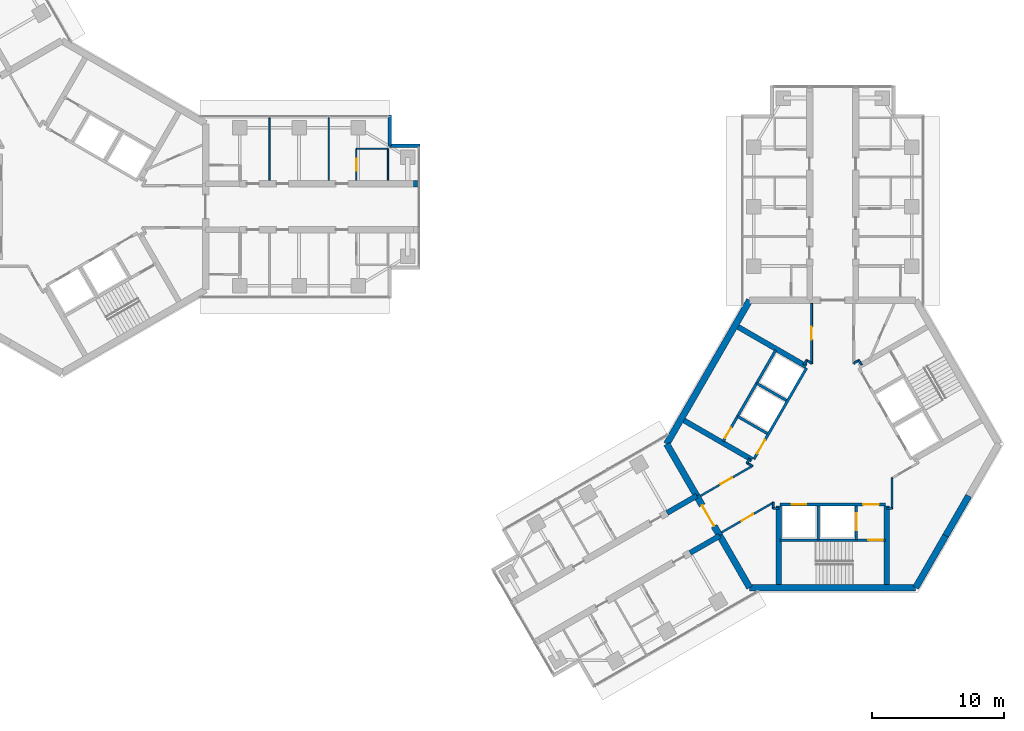
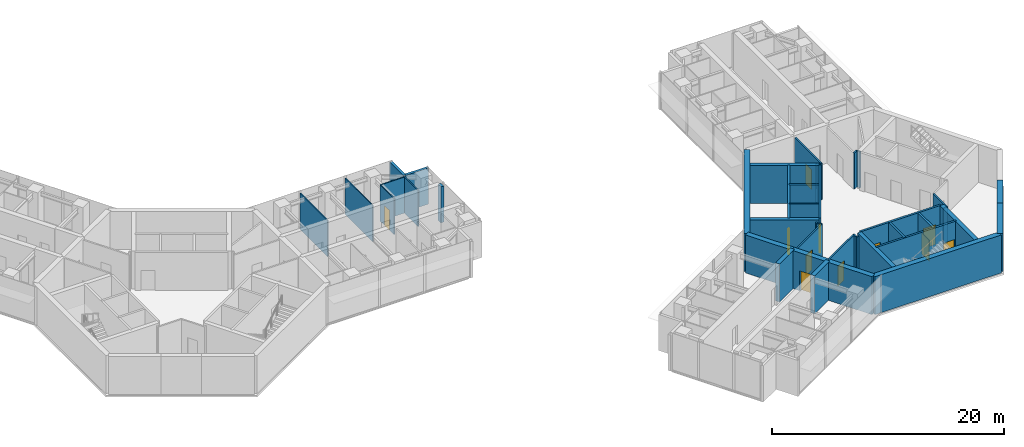
# One storey, part 14 of 18: 42 walls, 11 doors, 11 openings.
"""IFC4 building model written with IfcOpenShell, lengths in metres."""

from ifc_helpers import new_model, si_unit, direction, frame, frame_2d, origin, place, context, subcontext, project, spatial, rectangle, extrude, material, layer, layer_set, type_object, element, fill, save


model = new_model("IFC4")

# Units and contexts
model_context = context("Model", 3, precision=1e-05, world=origin(), true_north=direction((0.0, 1.0)))
body_context = subcontext(model_context, "Body", "Model", "MODEL_VIEW")
ifc_project = project(units=[si_unit("LENGTHUNIT", "METRE"), si_unit("AREAUNIT", "SQUARE_METRE"), si_unit("VOLUMEUNIT", "CUBIC_METRE"), si_unit("PLANEANGLEUNIT", "RADIAN"), si_unit("MASSUNIT", "GRAM", prefix="KILO")], contexts=[model_context])

# Site, building, storey
site_placement = place(None, origin())
site = spatial("IfcSite", under=ifc_project, at=site_placement, CompositionType="ELEMENT")
building_placement = place(site_placement, origin())
building = spatial("IfcBuilding", under=site, at=building_placement, Name="Upepo Twin Towers", CompositionType="ELEMENT")
storey_placement = place(building_placement, frame((0.0, 0.0, 222.5)))
storey = spatial("IfcBuildingStorey", under=building, at=storey_placement, Name="L54", CompositionType="ELEMENT", Elevation=222.5)

# Walls
ifc_material_1 = material(Name="Dense concrete blockwork", Category="masonry")
ifc_layer_1 = layer(ifc_material_1, 0.5)
ifc_layer_set_1 = layer_set([ifc_layer_1], Name="Buttress closer 500, blockwork with fire-stopping to the curtain wall")
wall_type_1 = type_object("IfcWallType", Name="Buttress closer 500, blockwork with fire-stopping to the curtain wall", PredefinedType="PARTITIONING", material=ifc_layer_set_1)
wall_1_placement = place(storey_placement, frame((26.699951171875, 1.75, 0.0), z_axis=(0.0, 0.0, 1.0), x_axis=(1.0, 0.0, 0.0)))
element("IfcWall", 1, at=wall_1_placement, inside=storey, type_object=wall_type_1, Name="T1 L54 wing A buttress closer L", PredefinedType="PARTITIONING", context=body_context, shape_type="SweptSolid", body=[
    extrude(rectangle(XDim=0.28759765625, YDim=0.5, at=frame_2d((0.143798828125, 0.0))), origin(), (0.0, 0.0, 1.0), 3.800048828125),
])
ifc_material_2 = material(Name="Concrete C60/75", Category="concrete")
ifc_layer_2 = layer(ifc_material_2, 0.39990234375)
ifc_layer_set_2 = layer_set([ifc_layer_2], Name="Concrete C60/75")
wall_type_2 = type_object("IfcWallType", Name="Buttress wall 400 RC", PredefinedType="SHEAR", material=ifc_layer_set_2)
for number, where, z_axis, x_axis, name in (
    (2, (49.92822265625, -24.9697265625, 0.0), (0.0, 0.0, 1.0), (-0.866031863473, -0.499988811324, 0.0), "T2 wing B buttress wall L"),
    (3, (48.17822265625, -21.938720703125, 0.0), (0.0, 0.0, 1.0), (-0.866072649678, -0.499918158782, 0.0), "T2 wing B buttress wall R"),
):
    element("IfcWall", number, at=place(storey_placement, frame(where, z_axis=z_axis, x_axis=x_axis)), inside=storey, type_object=wall_type_2, Name=name, PredefinedType="SHEAR", context=body_context, shape_type="SweptSolid", body=[
        extrude(rectangle(XDim=2.591796875, YDim=0.39990234375, at=frame_2d((1.2958984375, 0.0))), origin(), (0.0, 0.0, 1.0), 4.0),
    ])
ifc_material_3 = material(Name="Concrete C60/75", Category="concrete")
ifc_layer_3 = layer(ifc_material_3, 0.5)
ifc_layer_set_3 = layer_set([ifc_layer_3], Name="Concrete C60/75")
wall_type_3 = type_object("IfcWallType", Name="Core wall 500 RC", PredefinedType="SHEAR", material=ifc_layer_set_3)
wall_2_placement = place(storey_placement, frame((52.2021484375, -7.091552734375, 0.0), z_axis=(0.0, 0.0, 1.0), x_axis=(-0.500005998175, -0.866021940709, 0.0)))
element("IfcWall", 4, at=wall_2_placement, inside=storey, type_object=wall_type_3, Name="T2 core wall 060", PredefinedType="SHEAR", context=body_context, shape_type="SweptSolid", body=[
    extrude(rectangle(XDim=12.595947265625, YDim=0.5, at=frame_2d((6.2978515625, 0.0))), origin(), (0.0, 0.0, 1.0), 4.0),
])
wall_3_placement = place(storey_placement, frame((45.904052734375, -18.0, 0.0), z_axis=(0.0, 0.0, 1.0), x_axis=(0.500024481964, -0.866011268655, 0.0)))
element("IfcWall", 5, at=wall_3_placement, inside=storey, type_object=wall_type_3, Name="T2 core wall 120 R", PredefinedType="SHEAR", context=body_context, shape_type="SweptSolid", body=[
    extrude(rectangle(XDim=4.548095703125, YDim=0.5, at=frame_2d((2.27392578125, 0.0))), origin(), (0.0, 0.0, 1.0), 4.0),
])

# Wall, opening, door
wall_4_placement = place(storey_placement, frame((48.17822265625, -21.938720703125, 0.0), z_axis=(0.0, 0.0, 1.0), x_axis=(0.500010275428, -0.866019471182, 0.0)))
wall_4 = element("IfcWall", 6, at=wall_4_placement, inside=storey, type_object=wall_type_3, Name="T2 core wall 120", PredefinedType="SHEAR", context=body_context, shape_type="SweptSolid", body=[
    extrude(rectangle(XDim=3.5, YDim=0.5, at=frame_2d((1.75, 0.0))), origin(), (0.0, 0.0, 1.0), 4.0),
])
opening_1_placement = place(wall_4_placement, frame((0.85009765625, 0.0, 0.0)))
opening_1 = element("IfcOpeningElement", 7, at=opening_1_placement, cuts=wall_4, Name="Opening D2", PredefinedType="OPENING", context=body_context, shape_type="SweptSolid", body=[
    extrude(rectangle(XDim=1.800048828125, YDim=2.10009765625, at=frame_2d((0.89990234375, 1.050048828125))), frame((0.0, 0.260009765625, 0.0), z_axis=(0.0, -1.0, 0.0), x_axis=(1.0, 0.0, 0.0)), (0.0, 0.0, 1.0), 0.52001953125),
])
ifc_material_4 = material(Name="Timber doorset", Category="wood")
door_type_1 = type_object("IfcDoorType", Name="Corridor double door 1800 FD60", OperationType="DOUBLE_DOOR_DOUBLE_SWING", PredefinedType="DOOR", material=ifc_material_4)
door_1_placement = place(opening_1_placement, origin())
door_1 = element("IfcDoor", 8, at=door_1_placement, inside=storey, type_object=door_type_1, Name="T2 L54 wing B corridor door", OperationType="DOUBLE_DOOR_DOUBLE_SWING", OverallHeight=2.10009765625, OverallWidth=1.800048828125, PredefinedType="DOOR", context=body_context, shape_type="SweptSolid", body=[
    extrude(rectangle(XDim=1.800048828125, YDim=2.10009765625, at=frame_2d((0.89990234375, 1.050048828125))), frame((0.0, 0.02490234375, 0.0), z_axis=(0.0, -1.0, 0.0), x_axis=(1.0, 0.0, 0.0)), (0.0, 0.0, 1.0), 0.050048828125),
])
fill(opening_1, door_1)

# Walls
wall_5_placement = place(storey_placement, frame((49.92822265625, -24.9697265625, 0.0), z_axis=(0.0, 0.0, 1.0), x_axis=(0.499984222037, -0.866034513004, 0.0)))
element("IfcWall", 9, at=wall_5_placement, inside=storey, type_object=wall_type_3, Name="T2 core wall 120 L", PredefinedType="SHEAR", context=body_context, shape_type="SweptSolid", body=[
    extrude(rectangle(XDim=4.548095703125, YDim=0.5, at=frame_2d((2.27392578125, 0.0))), origin(), (0.0, 0.0, 1.0), 4.0),
])
wall_6_placement = place(storey_placement, frame((52.2021484375, -28.908447265625, 0.0), z_axis=(0.0, 0.0, 1.0), x_axis=(1.0, 0.0, 0.0)))
element("IfcWall", 10, at=wall_6_placement, inside=storey, type_object=wall_type_3, Name="T2 core wall 180", PredefinedType="SHEAR", context=body_context, shape_type="SweptSolid", body=[
    extrude(rectangle(XDim=12.595703125, YDim=0.5, at=frame_2d((6.2978515625, 0.0))), origin(), (0.0, 0.0, 1.0), 4.0),
])
wall_7_placement = place(storey_placement, frame((64.7978515625, -28.908447265625, 0.0), z_axis=(0.0, 0.0, 1.0), x_axis=(0.499984222037, 0.866034513004, 0.0)))
element("IfcWall", 11, at=wall_7_placement, inside=storey, type_object=wall_type_3, Name="T2 core wall 240 R", PredefinedType="SHEAR", context=body_context, shape_type="SweptSolid", body=[
    extrude(rectangle(XDim=4.548095703125, YDim=0.5, at=frame_2d((2.27392578125, 0.0))), origin(), (0.0, 0.0, 1.0), 4.0),
])
wall_8_placement = place(storey_placement, frame((67.07177734375, -24.9697265625, 0.0), z_axis=(0.0, 0.0, 1.0), x_axis=(0.500010275428, 0.866019471182, 0.0)))
element("IfcWall", 12, at=wall_8_placement, inside=storey, type_object=wall_type_3, Name="T2 core wall 240", PredefinedType="SHEAR", context=body_context, shape_type="SweptSolid", body=[
    extrude(rectangle(XDim=3.5, YDim=0.5, at=frame_2d((1.75, 0.0))), origin(), (0.0, 0.0, 1.0), 4.0),
])
ifc_material_5 = material(Name="Blockwork with anodised aluminium cladding", Category="masonry")
ifc_layer_4 = layer(ifc_material_5, 0.25)
ifc_layer_set_4 = layer_set([ifc_layer_4], Name="Notch cladding wall 250, pale metal")
wall_type_4 = type_object("IfcWallType", Name="Notch cladding wall 250, pale metal", PredefinedType="STANDARD", material=ifc_layer_set_4)
for number, where, z_axis, x_axis, name in (
    (13, (24.875, 6.949951171875, 0.0), (0.0, 0.0, 1.0), (0.0, -1.0, 0.0), "T1 L54 wing A notch wall L1"),
    (14, (24.875, 4.625, 0.0), (0.0, 0.0, 1.0), (1.0, 0.0, 0.0), "T1 L54 wing A notch wall L2"),
):
    element("IfcWall", number, at=place(storey_placement, frame(where, z_axis=z_axis, x_axis=x_axis)), inside=storey, type_object=wall_type_4, Name=name, PredefinedType="STANDARD", context=body_context, shape_type="SweptSolid", body=[
        extrude(rectangle(XDim=2.324951171875, YDim=0.25, at=frame_2d((1.16259765625, 0.0))), origin(), (0.0, 0.0, 1.0), 3.800048828125),
    ])
ifc_material_6 = material(Name="Gypsum board on steel studs", Category="steel")
ifc_layer_5 = layer(ifc_material_6, 0.10009765625)
ifc_layer_set_5 = layer_set([ifc_layer_5], Name="Office partition 100 stud")
wall_type_5 = type_object("IfcWallType", Name="Office partition 100 stud", PredefinedType="PARTITIONING", material=ifc_layer_set_5)
for number, where, z_axis, x_axis, name in (
    (15, (15.75, 2.0, 0.0), (0.0, 0.0, 1.0), (0.0, 1.0, 0.0), "T1 partition AL at 15.75"),
    (16, (20.25, 2.0, 0.0), (0.0, 0.0, 1.0), (0.0, 1.0, 0.0), "T1 partition AL at 20.25"),
):
    element("IfcWall", number, at=place(storey_placement, frame(where, z_axis=z_axis, x_axis=x_axis)), inside=storey, type_object=wall_type_5, Name=name, PredefinedType="PARTITIONING", context=body_context, shape_type="SweptSolid", body=[
        extrude(rectangle(XDim=4.75, YDim=0.10009765625, at=frame_2d((2.375, 0.0))), origin(), (0.0, 0.0, 1.0), 3.800048828125),
    ])
wall_9_placement = place(storey_placement, frame((22.35009765625, 4.39990234375, 0.0), z_axis=(0.0, 0.0, 1.0), x_axis=(1.0, 0.0, 0.0)))
element("IfcWall", 17, at=wall_9_placement, inside=storey, type_object=wall_type_5, Name="T1 inner room partition AL at 22.35", PredefinedType="PARTITIONING", context=body_context, shape_type="SweptSolid", body=[
    extrude(rectangle(XDim=2.39990234375, YDim=0.10009765625, at=frame_2d((1.199951171875, 0.0))), origin(), (0.0, 0.0, 1.0), 3.800048828125),
])

# Wall, opening, door
wall_10_placement = place(storey_placement, frame((22.35009765625, 2.0, 0.0), z_axis=(0.0, 0.0, 1.0), x_axis=(0.0, 1.0, 0.0)))
wall_10 = element("IfcWall", 18, at=wall_10_placement, inside=storey, type_object=wall_type_5, Name="T1 inner room partition AL end at 22.35", PredefinedType="PARTITIONING", context=body_context, shape_type="SweptSolid", body=[
    extrude(rectangle(XDim=2.39990234375, YDim=0.10009765625, at=frame_2d((1.199951171875, 0.0))), origin(), (0.0, 0.0, 1.0), 3.800048828125),
])
opening_2_placement = place(wall_10_placement, frame((0.75, 0.0, 0.0)))
opening_2 = element("IfcOpeningElement", 19, at=opening_2_placement, cuts=wall_10, Name="Opening D14", PredefinedType="OPENING", context=body_context, shape_type="SweptSolid", body=[
    extrude(rectangle(XDim=0.89990234375, YDim=2.10009765625, at=frame_2d((0.449951171875, 1.050048828125))), frame((0.0, 0.06005859375, 0.0), z_axis=(0.0, -1.0, 0.0), x_axis=(1.0, 0.0, 0.0)), (0.0, 0.0, 1.0), 0.1201171875),
])
ifc_material_7 = material(Name="Timber doorset", Category="wood")
door_type_2 = type_object("IfcDoorType", Name="Office door 900 FD30", OperationType="SINGLE_SWING_LEFT", PredefinedType="DOOR", material=ifc_material_7)
door_2_placement = place(opening_2_placement, origin())
door_2 = element("IfcDoor", 20, at=door_2_placement, inside=storey, type_object=door_type_2, Name="T1 L54 inner room door", OperationType="SINGLE_SWING_LEFT", OverallHeight=2.10009765625, OverallWidth=0.89990234375, PredefinedType="DOOR", context=body_context, shape_type="SweptSolid", body=[
    extrude(rectangle(XDim=0.89990234375, YDim=2.10009765625, at=frame_2d((0.449951171875, 1.050048828125))), frame((0.0, 0.02490234375, 0.0), z_axis=(0.0, -1.0, 0.0), x_axis=(1.0, 0.0, 0.0)), (0.0, 0.0, 1.0), 0.050048828125),
])
fill(opening_2, door_2)

# Wall
wall_11_placement = place(storey_placement, frame((24.75, 2.0, 0.0), z_axis=(0.0, 0.0, 1.0), x_axis=(0.0, 1.0, 0.0)))
element("IfcWall", 21, at=wall_11_placement, inside=storey, type_object=wall_type_5, Name="T1 inner room partition AL end at 24.75", PredefinedType="PARTITIONING", context=body_context, shape_type="SweptSolid", body=[
    extrude(rectangle(XDim=2.39990234375, YDim=0.10009765625, at=frame_2d((1.199951171875, 0.0))), origin(), (0.0, 0.0, 1.0), 3.800048828125),
])

# Wall, opening, door
ifc_material_8 = material(Name="Concrete C40/50", Category="concrete")
ifc_layer_6 = layer(ifc_material_8, 0.199951171875)
ifc_layer_set_6 = layer_set([ifc_layer_6], Name="Concrete C40/50")
wall_type_6 = type_object("IfcWallType", Name="Shaft wall 200 RC", PredefinedType="SHEAR", material=ifc_layer_set_6)
wall_12_placement = place(storey_placement, frame((56.516357421875, -12.23583984375, 0.0), z_axis=(0.0, 0.0, 1.0), x_axis=(-0.49999894854, -0.866026010844, 0.0)))
wall_12 = element("IfcWall", 22, at=wall_12_placement, inside=storey, type_object=wall_type_6, Name="T2 core W60 front wall", PredefinedType="SHEAR", context=body_context, shape_type="SweptSolid", body=[
    extrude(rectangle(XDim=8.0, YDim=0.199951171875, at=frame_2d((4.0, 0.0))), origin(), (0.0, 0.0, 1.0), 4.0),
])
opening_3_placement = place(wall_12_placement, frame((6.300048828125, 0.0, 0.0)))
opening_3 = element("IfcOpeningElement", 23, at=opening_3_placement, cuts=wall_12, Name="Opening D4", PredefinedType="OPENING", context=body_context, shape_type="SweptSolid", body=[
    extrude(rectangle(XDim=1.199951171875, YDim=2.10009765625, at=frame_2d((0.60009765625, 1.050048828125))), frame((0.0, 0.10986328125, 0.0), z_axis=(0.0, -1.0, 0.0), x_axis=(1.0, 0.0, 0.0)), (0.0, 0.0, 1.0), 0.219970703125),
])
ifc_material_9 = material(Name="Timber doorset", Category="wood")
door_type_3 = type_object("IfcDoorType", Name="Lobby door 1200 FD60", OperationType="SINGLE_SWING_LEFT", PredefinedType="DOOR", material=ifc_material_9)
door_3_placement = place(opening_3_placement, origin())
door_3 = element("IfcDoor", 24, at=door_3_placement, inside=storey, type_object=door_type_3, Name="T2 L54 W60 lobby door", OperationType="SINGLE_SWING_RIGHT", OverallHeight=2.10009765625, OverallWidth=1.199951171875, PredefinedType="DOOR", context=body_context, shape_type="SweptSolid", body=[
    extrude(rectangle(XDim=1.199951171875, YDim=2.10009765625, at=frame_2d((0.60009765625, 1.050048828125))), frame((0.0, 0.02490234375, 0.0), z_axis=(0.0, -1.0, 0.0), x_axis=(1.0, 0.0, 0.0)), (0.0, 0.0, 1.0), 0.050048828125),
])
fill(opening_3, door_3)

# Walls
for number, where, z_axis, x_axis, name in (
    (25, (54.979736328125, -14.697265625, 0.0), (0.0, 0.0, 1.0), (-0.866062058628, 0.499936506574, 0.0), "T2 core W60 shaft divider"),
    (26, (53.52978515625, -17.208740234375, 0.0), (0.0, 0.0, 1.0), (-0.866062058628, 0.499936506574, 0.0), "T2 core W60 lobby wall"),
):
    element("IfcWall", number, at=place(storey_placement, frame(where, z_axis=z_axis, x_axis=x_axis)), inside=storey, type_object=wall_type_6, Name=name, PredefinedType="SHEAR", context=body_context, shape_type="SweptSolid", body=[
        extrude(rectangle(XDim=2.599853515625, YDim=0.199951171875, at=frame_2d((1.2998046875, 0.0))), origin(), (0.0, 0.0, 1.0), 4.0),
    ])

# Wall, opening, door
wall_13_placement = place(storey_placement, frame((54.177978515625, -10.885986328125, 0.0), z_axis=(0.0, 0.0, 1.0), x_axis=(-0.49999894854, -0.866026010844, 0.0)))
wall_13 = element("IfcWall", 27, at=wall_13_placement, inside=storey, type_object=wall_type_6, Name="T2 core W60 stair wall", PredefinedType="SHEAR", context=body_context, shape_type="SweptSolid", body=[
    extrude(rectangle(XDim=8.0, YDim=0.199951171875, at=frame_2d((4.0, 0.0))), origin(), (0.0, 0.0, 1.0), 4.0),
])
opening_4_placement = place(wall_13_placement, frame((6.800048828125, 0.0, 0.0)))
opening_4 = element("IfcOpeningElement", 28, at=opening_4_placement, cuts=wall_13, Name="Opening D9", PredefinedType="OPENING", context=body_context, shape_type="SweptSolid", body=[
    extrude(rectangle(XDim=0.89990234375, YDim=2.10009765625, at=frame_2d((0.449951171875, 1.050048828125))), frame((0.0, 0.10986328125, 0.0), z_axis=(0.0, -1.0, 0.0), x_axis=(1.0, 0.0, 0.0)), (0.0, 0.0, 1.0), 0.219970703125),
])
ifc_material_10 = material(Name="Timber doorset", Category="wood")
door_type_4 = type_object("IfcDoorType", Name="Riser door 900 FD60", OperationType="SINGLE_SWING_LEFT", PredefinedType="DOOR", material=ifc_material_10)
door_4_placement = place(opening_4_placement, origin())
door_4 = element("IfcDoor", 29, at=door_4_placement, inside=storey, type_object=door_type_4, Name="T2 L54 riser door", OperationType="SINGLE_SWING_RIGHT", OverallHeight=2.10009765625, OverallWidth=0.89990234375, PredefinedType="DOOR", context=body_context, shape_type="SweptSolid", body=[
    extrude(rectangle(XDim=0.89990234375, YDim=2.10009765625, at=frame_2d((0.449951171875, 1.050048828125))), frame((0.0, 0.02490234375, 0.0), z_axis=(0.0, -1.0, 0.0), x_axis=(1.0, 0.0, 0.0)), (0.0, 0.0, 1.0), 0.050048828125),
])
fill(opening_4, door_4)

# Wall, openings, doors
wall_14_placement = place(storey_placement, frame((54.5, -22.60009765625, 0.0), z_axis=(0.0, 0.0, 1.0), x_axis=(1.0, 0.0, 0.0)))
wall_14 = element("IfcWall", 30, at=wall_14_placement, inside=storey, type_object=wall_type_6, Name="T2 core W180 front wall", PredefinedType="SHEAR", context=body_context, shape_type="SweptSolid", body=[
    extrude(rectangle(XDim=8.0, YDim=0.199951171875, at=frame_2d((4.0, 0.0))), origin(), (0.0, 0.0, 1.0), 4.0),
])
opening_5_placement = place(wall_14_placement, frame((6.300048828125, 0.0, 0.0)))
opening_5 = element("IfcOpeningElement", 31, at=opening_5_placement, cuts=wall_14, Name="Opening D4", PredefinedType="OPENING", context=body_context, shape_type="SweptSolid", body=[
    extrude(rectangle(XDim=1.199951171875, YDim=2.10009765625, at=frame_2d((0.60009765625, 1.050048828125))), frame((0.0, 0.10986328125, 0.0), z_axis=(0.0, -1.0, 0.0), x_axis=(1.0, 0.0, 0.0)), (0.0, 0.0, 1.0), 0.219970703125),
])
opening_6_placement = place(wall_14_placement, frame((0.89990234375, 0.0, 0.0)))
opening_6 = element("IfcOpeningElement", 32, at=opening_6_placement, cuts=wall_14, Name="Opening LD1", PredefinedType="OPENING", context=body_context, shape_type="SweptSolid", body=[
    extrude(rectangle(XDim=1.10009765625, YDim=2.199951171875, at=frame_2d((0.550048828125, 1.10009765625))), frame((0.0, 0.10986328125, 0.0), z_axis=(0.0, -1.0, 0.0), x_axis=(1.0, 0.0, 0.0)), (0.0, 0.0, 1.0), 0.219970703125),
])
ifc_material_11 = material(Name="Steel doorset", Category="steel")
door_type_5 = type_object("IfcDoorType", Name="Lift landing door 1100", OperationType="DOUBLE_DOOR_SLIDING", PredefinedType="DOOR", material=ifc_material_11)
door_5_placement = place(opening_6_placement, origin())
door_5 = element("IfcDoor", 33, at=door_5_placement, inside=storey, type_object=door_type_5, Name="T2 L54 lift SV1 landing door", OperationType="DOUBLE_DOOR_SLIDING", OverallHeight=2.199951171875, OverallWidth=1.10009765625, PredefinedType="DOOR", context=body_context, shape_type="SweptSolid", body=[
    extrude(rectangle(XDim=1.10009765625, YDim=2.199951171875, at=frame_2d((0.550048828125, 1.10009765625))), frame((0.0, 0.02490234375, 0.0), z_axis=(0.0, -1.0, 0.0), x_axis=(1.0, 0.0, 0.0)), (0.0, 0.0, 1.0), 0.050048828125),
])
fill(opening_6, door_5)
door_6_placement = place(opening_5_placement, origin())
door_6 = element("IfcDoor", 34, at=door_6_placement, inside=storey, type_object=door_type_3, Name="T2 L54 W180 lobby door", OperationType="SINGLE_SWING_RIGHT", OverallHeight=2.10009765625, OverallWidth=1.199951171875, PredefinedType="DOOR", context=body_context, shape_type="SweptSolid", body=[
    extrude(rectangle(XDim=1.199951171875, YDim=2.10009765625, at=frame_2d((0.60009765625, 1.050048828125))), frame((0.0, 0.02490234375, 0.0), z_axis=(0.0, -1.0, 0.0), x_axis=(1.0, 0.0, 0.0)), (0.0, 0.0, 1.0), 0.050048828125),
])
fill(opening_5, door_6)

# Wall
wall_15_placement = place(storey_placement, frame((57.39990234375, -22.699951171875, 0.0), z_axis=(0.0, 0.0, 1.0), x_axis=(0.0, -1.0, 0.0)))
element("IfcWall", 35, at=wall_15_placement, inside=storey, type_object=wall_type_6, Name="T2 core W180 shaft divider", PredefinedType="SHEAR", context=body_context, shape_type="SweptSolid", body=[
    extrude(rectangle(XDim=2.60009765625, YDim=0.199951171875, at=frame_2d((1.300048828125, 0.0))), origin(), (0.0, 0.0, 1.0), 4.0),
])

# Wall, opening, door
wall_16_placement = place(storey_placement, frame((60.300048828125, -22.699951171875, 0.0), z_axis=(0.0, 0.0, 1.0), x_axis=(0.0, -1.0, 0.0)))
wall_16 = element("IfcWall", 36, at=wall_16_placement, inside=storey, type_object=wall_type_6, Name="T2 core W180 lobby wall", PredefinedType="SHEAR", context=body_context, shape_type="SweptSolid", body=[
    extrude(rectangle(XDim=2.60009765625, YDim=0.199951171875, at=frame_2d((1.300048828125, 0.0))), origin(), (0.0, 0.0, 1.0), 4.0),
])
opening_7_placement = place(wall_16_placement, frame((0.550048828125, 0.0, 0.0)))
opening_7 = element("IfcOpeningElement", 37, at=opening_7_placement, cuts=wall_16, Name="Opening LD2", PredefinedType="OPENING", context=body_context, shape_type="SweptSolid", body=[
    extrude(rectangle(XDim=1.300048828125, YDim=2.199951171875, at=frame_2d((0.64990234375, 1.10009765625))), frame((0.0, 0.10986328125, 0.0), z_axis=(0.0, -1.0, 0.0), x_axis=(1.0, 0.0, 0.0)), (0.0, 0.0, 1.0), 0.219970703125),
])
ifc_material_12 = material(Name="Steel doorset", Category="steel")
door_type_6 = type_object("IfcDoorType", Name="Firefighting lift landing door 1300", OperationType="DOUBLE_DOOR_SLIDING", PredefinedType="DOOR", material=ifc_material_12)
door_7_placement = place(opening_7_placement, origin())
door_7 = element("IfcDoor", 38, at=door_7_placement, inside=storey, type_object=door_type_6, Name="T2 L54 firefighting lift landing door", OperationType="DOUBLE_DOOR_SLIDING", OverallHeight=2.199951171875, OverallWidth=1.300048828125, PredefinedType="DOOR", context=body_context, shape_type="SweptSolid", body=[
    extrude(rectangle(XDim=1.300048828125, YDim=2.199951171875, at=frame_2d((0.64990234375, 1.10009765625))), frame((0.0, 0.02490234375, 0.0), z_axis=(0.0, -1.0, 0.0), x_axis=(1.0, 0.0, 0.0)), (0.0, 0.0, 1.0), 0.050048828125),
])
fill(opening_7, door_7)

wall_17_placement = place(storey_placement, frame((54.5, -25.300048828125, 0.0), z_axis=(0.0, 0.0, 1.0), x_axis=(1.0, 0.0, 0.0)))
wall_17 = element("IfcWall", 39, at=wall_17_placement, inside=storey, type_object=wall_type_6, Name="T2 core W180 stair wall", PredefinedType="SHEAR", context=body_context, shape_type="SweptSolid", body=[
    extrude(rectangle(XDim=8.0, YDim=0.199951171875, at=frame_2d((4.0, 0.0))), origin(), (0.0, 0.0, 1.0), 4.0),
])
opening_8_placement = place(wall_17_placement, frame((6.699951171875, 0.0, 0.0)))
opening_8 = element("IfcOpeningElement", 40, at=opening_8_placement, cuts=wall_17, Name="Opening D3", PredefinedType="OPENING", context=body_context, shape_type="SweptSolid", body=[
    extrude(rectangle(XDim=1.10009765625, YDim=2.10009765625, at=frame_2d((0.550048828125, 1.050048828125))), frame((0.0, 0.10986328125, 0.0), z_axis=(0.0, -1.0, 0.0), x_axis=(1.0, 0.0, 0.0)), (0.0, 0.0, 1.0), 0.219970703125),
])
ifc_material_13 = material(Name="Timber doorset", Category="wood")
door_type_7 = type_object("IfcDoorType", Name="Stair door 1100 FD60", OperationType="SINGLE_SWING_LEFT", PredefinedType="DOOR", material=ifc_material_13)
door_8_placement = place(opening_8_placement, origin())
door_8 = element("IfcDoor", 41, at=door_8_placement, inside=storey, type_object=door_type_7, Name="T2 L54 stair door", OperationType="SINGLE_SWING_RIGHT", OverallHeight=2.10009765625, OverallWidth=1.10009765625, PredefinedType="DOOR", context=body_context, shape_type="SweptSolid", body=[
    extrude(rectangle(XDim=1.10009765625, YDim=2.10009765625, at=frame_2d((0.550048828125, 1.050048828125))), frame((0.0, 0.02490234375, 0.0), z_axis=(0.0, -1.0, 0.0), x_axis=(1.0, 0.0, 0.0)), (0.0, 0.0, 1.0), 0.050048828125),
])
fill(opening_8, door_8)

# Walls
ifc_material_14 = material(Name="Concrete C40/50", Category="concrete")
ifc_layer_7 = layer(ifc_material_14, 0.39990234375)
ifc_layer_set_7 = layer_set([ifc_layer_7], Name="Concrete C40/50")
wall_type_7 = type_object("IfcWallType", Name="Shaft wall 400 RC", PredefinedType="SHEAR", material=ifc_layer_set_7)
wall_18_placement = place(storey_placement, frame((52.379638671875, -19.20068359375, 0.0), z_axis=(0.0, 0.0, 1.0), x_axis=(-0.866012946976, 0.500021575205, 0.0)))
element("IfcWall", 42, at=wall_18_placement, inside=storey, type_object=wall_type_7, Name="T2 core W60 side wall N", PredefinedType="SHEAR", context=body_context, shape_type="SweptSolid", body=[
    extrude(rectangle(XDim=5.958251953125, YDim=0.39990234375, at=frame_2d((2.97900390625, 0.0))), origin(), (0.0, 0.0, 1.0), 4.0),
])
for number, where, z_axis, x_axis, name in (
    (43, (56.479736328125, -12.099365234375, 0.0), (0.0, 0.0, 1.0), (-0.86602319114, 0.500003832394, 0.0), "T2 core W60 side wall S"),
    (44, (62.60009765625, -22.699951171875, 0.0), (0.0, 0.0, 1.0), (0.0, -1.0, 0.0), "T2 core W180 side wall N"),
    (45, (54.39990234375, -22.699951171875, 0.0), (0.0, 0.0, 1.0), (0.0, -1.0, 0.0), "T2 core W180 side wall S"),
):
    element("IfcWall", number, at=place(storey_placement, frame(where, z_axis=z_axis, x_axis=x_axis)), inside=storey, type_object=wall_type_7, Name=name, PredefinedType="SHEAR", context=body_context, shape_type="SweptSolid", body=[
        extrude(rectangle(XDim=5.95849609375, YDim=0.39990234375, at=frame_2d((2.979248046875, 0.0))), origin(), (0.0, 0.0, 1.0), 4.0),
    ])
ifc_material_15 = material(Name="Gypsum board on steel studs", Category="steel")
ifc_layer_8 = layer(ifc_material_15, 0.14990234375)
ifc_layer_set_8 = layer_set([ifc_layer_8], Name="Teaching partition 150 acoustic")
wall_type_8 = type_object("IfcWallType", Name="Teaching partition 150 acoustic", PredefinedType="PARTITIONING", material=ifc_layer_set_8)
for number, where, z_axis, x_axis, name in (
    (46, (63.02001953125, -22.89990234375, 0.0), (0.0, 0.0, 1.0), (-1.0, 0.0, 0.0), "T2 core room partition 1"),
    (47, (54.409912109375, -22.89990234375, 0.0), (0.0, 0.0, 1.0), (-1.0, 0.0, 0.0), "T2 core room partition 2"),
):
    element("IfcWall", number, at=place(storey_placement, frame(where, z_axis=z_axis, x_axis=x_axis)), inside=storey, type_object=wall_type_8, Name=name, PredefinedType="PARTITIONING", context=body_context, shape_type="SweptSolid", body=[
        extrude(rectangle(XDim=0.429931640625, YDim=0.14990234375, at=frame_2d((0.21484375, 0.0))), origin(), (0.0, 0.0, 1.0), 3.800048828125),
    ])
wall_19_placement = place(storey_placement, frame((54.0, -22.919921875, 0.0), z_axis=(0.0, 0.0, 1.0), x_axis=(0.0, 1.0, 0.0)))
element("IfcWall", 48, at=wall_19_placement, inside=storey, type_object=wall_type_8, Name="T2 core room partition 3", PredefinedType="PARTITIONING", context=body_context, shape_type="SweptSolid", body=[
    extrude(rectangle(XDim=0.494384765625, YDim=0.14990234375, at=frame_2d((0.2470703125, 0.0))), origin(), (0.0, 0.0, 1.0), 3.800048828125),
])

# Wall, opening, door
wall_20_placement = place(storey_placement, frame((54.017333984375, -22.435546875, 0.0), z_axis=(0.0, 0.0, 1.0), x_axis=(-0.866024503882, -0.500001558674, 0.0)))
wall_20 = element("IfcWall", 49, at=wall_20_placement, inside=storey, type_object=wall_type_8, Name="T2 core room partition 4", PredefinedType="PARTITIONING", context=body_context, shape_type="SweptSolid", body=[
    extrude(rectangle(XDim=4.568359375, YDim=0.14990234375, at=frame_2d((2.2841796875, 0.0))), origin(), (0.0, 0.0, 1.0), 3.800048828125),
])
opening_9_placement = place(wall_20_placement, frame((1.794189453125, 0.0, 0.0)))
opening_9 = element("IfcOpeningElement", 50, at=opening_9_placement, cuts=wall_20, Name="Opening D1", PredefinedType="OPENING", context=body_context, shape_type="SweptSolid", body=[
    extrude(rectangle(XDim=1.0, YDim=2.10009765625, at=frame_2d((0.5, 1.050048828125))), frame((0.0, 0.0849609375, 0.0), z_axis=(0.0, -1.0, 0.0), x_axis=(1.0, 0.0, 0.0)), (0.0, 0.0, 1.0), 0.169921875),
])
ifc_material_16 = material(Name="Timber doorset", Category="wood")
door_type_8 = type_object("IfcDoorType", Name="Room door 1000 FD30", OperationType="SINGLE_SWING_LEFT", PredefinedType="DOOR", material=ifc_material_16)
door_9_placement = place(opening_9_placement, origin())
door_9 = element("IfcDoor", 51, at=door_9_placement, inside=storey, type_object=door_type_8, Name="T2 L54 core room door K2", OperationType="SINGLE_SWING_RIGHT", OverallHeight=2.10009765625, OverallWidth=1.0, PredefinedType="DOOR", context=body_context, shape_type="SweptSolid", body=[
    extrude(rectangle(XDim=1.0, YDim=2.10009765625, at=frame_2d((0.5, 1.050048828125))), frame((0.0, 0.02490234375, 0.0), z_axis=(0.0, -1.0, 0.0), x_axis=(1.0, 0.0, 0.0)), (0.0, 0.0, 1.0), 0.050048828125),
])
fill(opening_9, door_9)

wall_21_placement = place(storey_placement, frame((48.4609375, -21.948486328125, 0.0), z_axis=(0.0, 0.0, 1.0), x_axis=(0.866024503882, 0.500001558674, 0.0)))
wall_21 = element("IfcWall", 52, at=wall_21_placement, inside=storey, type_object=wall_type_8, Name="T2 core room partition 5", PredefinedType="PARTITIONING", context=body_context, shape_type="SweptSolid", body=[
    extrude(rectangle(XDim=4.568359375, YDim=0.14990234375, at=frame_2d((2.2841796875, 0.0))), origin(), (0.0, 0.0, 1.0), 3.800048828125),
])
opening_10_placement = place(wall_21_placement, frame((1.774169921875, 0.0, 0.0)))
opening_10 = element("IfcOpeningElement", 53, at=opening_10_placement, cuts=wall_21, Name="Opening D1", PredefinedType="OPENING", context=body_context, shape_type="SweptSolid", body=[
    extrude(rectangle(XDim=1.0, YDim=2.10009765625, at=frame_2d((0.5, 1.050048828125))), frame((0.0, 0.0849609375, 0.0), z_axis=(0.0, -1.0, 0.0), x_axis=(1.0, 0.0, 0.0)), (0.0, 0.0, 1.0), 0.169921875),
])
door_10_placement = place(opening_10_placement, origin())
door_10 = element("IfcDoor", 54, at=door_10_placement, inside=storey, type_object=door_type_8, Name="T2 L54 core room door K1", OperationType="SINGLE_SWING_LEFT", OverallHeight=2.10009765625, OverallWidth=1.0, PredefinedType="DOOR", context=body_context, shape_type="SweptSolid", body=[
    extrude(rectangle(XDim=1.0, YDim=2.10009765625, at=frame_2d((0.5, 1.050048828125))), frame((0.0, 0.02490234375, 0.0), z_axis=(0.0, -1.0, 0.0), x_axis=(1.0, 0.0, 0.0)), (0.0, 0.0, 1.0), 0.050048828125),
])
fill(opening_10, door_10)

# Walls
wall_22_placement = place(storey_placement, frame((52.417236328125, -19.684326171875, 0.0), z_axis=(0.0, 0.0, 1.0), x_axis=(-0.865831790172, 0.50033519877, 0.0)))
element("IfcWall", 55, at=wall_22_placement, inside=storey, type_object=wall_type_8, Name="T2 core room partition 6", PredefinedType="PARTITIONING", context=body_context, shape_type="SweptSolid", body=[
    extrude(rectangle(XDim=0.494384765625, YDim=0.14990234375, at=frame_2d((0.2470703125, 0.0))), origin(), (0.0, 0.0, 1.0), 3.800048828125),
])
for number, where, z_axis, x_axis, name in (
    (56, (51.99658203125, -19.46435546875, 0.0), (0.0, 0.0, 1.0), (0.499804398801, 0.866138304741, 0.0), "T2 core room partition 7"),
    (57, (56.301513671875, -12.0078125, 0.0), (0.0, 0.0, 1.0), (0.500230298122, 0.865892400268, 0.0), "T2 core room partition 8"),
):
    element("IfcWall", number, at=place(storey_placement, frame(where, z_axis=z_axis, x_axis=x_axis)), inside=storey, type_object=wall_type_8, Name=name, PredefinedType="PARTITIONING", context=body_context, shape_type="SweptSolid", body=[
        extrude(rectangle(XDim=0.429931640625, YDim=0.14990234375, at=frame_2d((0.21484375, 0.0))), origin(), (0.0, 0.0, 1.0), 3.800048828125),
    ])
wall_23_placement = place(storey_placement, frame((56.4892578125, -11.642822265625, 0.0), z_axis=(0.0, 0.0, 1.0), x_axis=(0.865831790172, -0.50033519877, 0.0)))
element("IfcWall", 58, at=wall_23_placement, inside=storey, type_object=wall_type_8, Name="T2 core room partition 9", PredefinedType="PARTITIONING", context=body_context, shape_type="SweptSolid", body=[
    extrude(rectangle(XDim=0.494384765625, YDim=0.14990234375, at=frame_2d((0.2470703125, 0.0))), origin(), (0.0, 0.0, 1.0), 3.800048828125),
])

# Wall, opening, door
wall_24_placement = place(storey_placement, frame((56.89990234375, -11.900146484375, 0.0), z_axis=(0.0, 0.0, 1.0), x_axis=(0.0, 1.0, 0.0)))
wall_24 = element("IfcWall", 59, at=wall_24_placement, inside=storey, type_object=wall_type_8, Name="T2 core room partition 10", PredefinedType="PARTITIONING", context=body_context, shape_type="SweptSolid", body=[
    extrude(rectangle(XDim=4.568359375, YDim=0.14990234375, at=frame_2d((2.2841796875, 0.0))), origin(), (0.0, 0.0, 1.0), 3.800048828125),
])
opening_11_placement = place(wall_24_placement, frame((1.79443359375, 0.0, 0.0)))
opening_11 = element("IfcOpeningElement", 60, at=opening_11_placement, cuts=wall_24, Name="Opening D1", PredefinedType="OPENING", context=body_context, shape_type="SweptSolid", body=[
    extrude(rectangle(XDim=1.0, YDim=2.10009765625, at=frame_2d((0.5, 1.050048828125))), frame((0.0, 0.0849609375, 0.0), z_axis=(0.0, -1.0, 0.0), x_axis=(1.0, 0.0, 0.0)), (0.0, 0.0, 1.0), 0.169921875),
])
door_11_placement = place(opening_11_placement, origin())
door_11 = element("IfcDoor", 61, at=door_11_placement, inside=storey, type_object=door_type_8, Name="T2 L54 core room door K6", OperationType="SINGLE_SWING_RIGHT", OverallHeight=2.10009765625, OverallWidth=1.0, PredefinedType="DOOR", context=body_context, shape_type="SweptSolid", body=[
    extrude(rectangle(XDim=1.0, YDim=2.10009765625, at=frame_2d((0.5, 1.050048828125))), frame((0.0, 0.02490234375, 0.0), z_axis=(0.0, -1.0, 0.0), x_axis=(1.0, 0.0, 0.0)), (0.0, 0.0, 1.0), 0.050048828125),
])
fill(opening_11, door_11)

# Walls
wall_25_placement = place(storey_placement, frame((60.082763671875, -11.89013671875, 0.0), z_axis=(0.0, 0.0, 1.0), x_axis=(0.865831790172, 0.50033519877, 0.0)))
element("IfcWall", 62, at=wall_25_placement, inside=storey, type_object=wall_type_8, Name="T2 core room partition 12", PredefinedType="PARTITIONING", context=body_context, shape_type="SweptSolid", body=[
    extrude(rectangle(XDim=0.494384765625, YDim=0.14990234375, at=frame_2d((0.2470703125, 0.0))), origin(), (0.0, 0.0, 1.0), 3.800048828125),
])
wall_26_placement = place(storey_placement, frame((60.4833984375, -11.635498046875, 0.0), z_axis=(0.0, 0.0, 1.0), x_axis=(0.500230298122, -0.865892400268, 0.0)))
element("IfcWall", 63, at=wall_26_placement, inside=storey, type_object=wall_type_8, Name="T2 core room partition 13", PredefinedType="PARTITIONING", context=body_context, shape_type="SweptSolid", body=[
    extrude(rectangle(XDim=0.429931640625, YDim=0.14990234375, at=frame_2d((0.21484375, 0.0))), origin(), (0.0, 0.0, 1.0), 3.800048828125),
])
wall_27_placement = place(storey_placement, frame((63.0, -20.578125, 0.0), z_axis=(0.0, 0.0, 1.0), x_axis=(0.0, -1.0, 0.0)))
element("IfcWall", 64, at=wall_27_placement, inside=storey, type_object=wall_type_8, Name="T2 core room partition 16", PredefinedType="PARTITIONING", context=body_context, shape_type="SweptSolid", body=[
    extrude(rectangle(XDim=2.341796875, YDim=0.14990234375, at=frame_2d((1.1708984375, 0.0))), origin(), (0.0, 0.0, 1.0), 3.800048828125),
])

save(model, "model.ifc")
